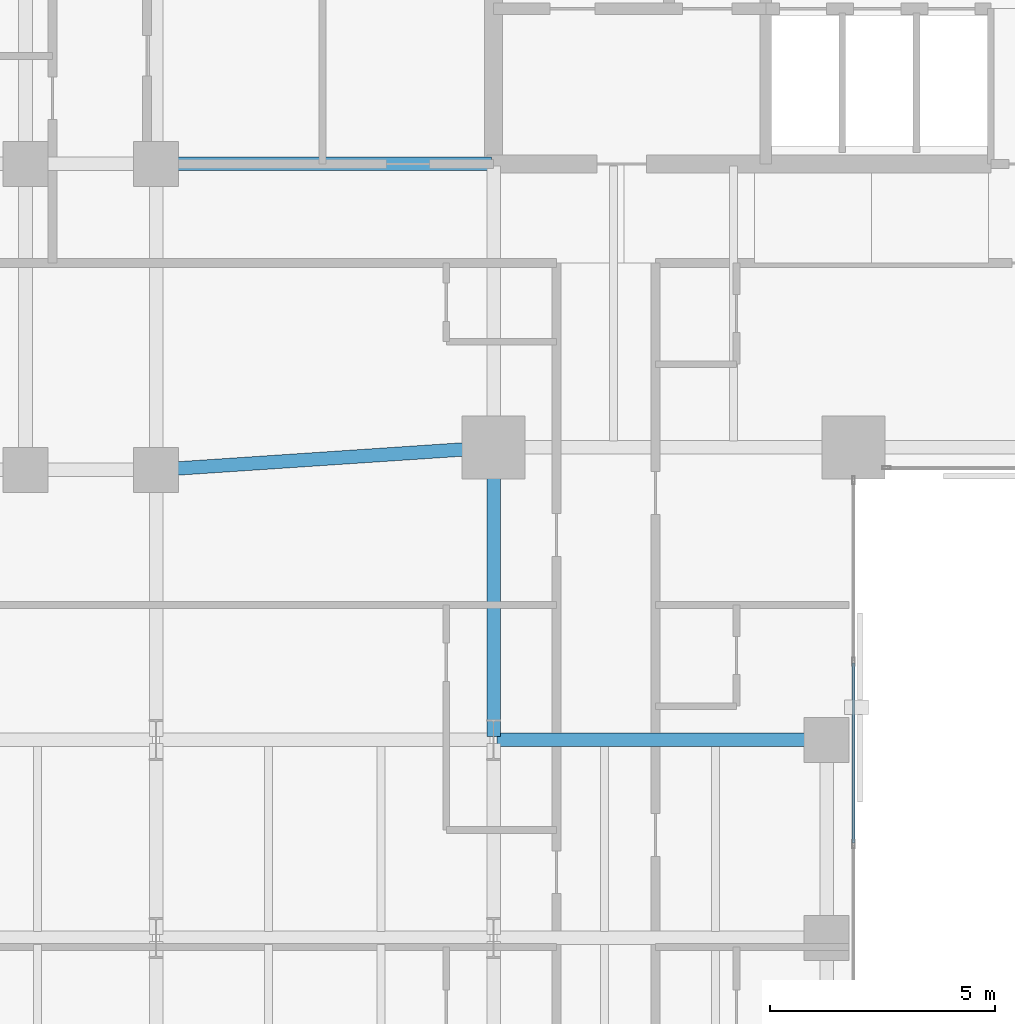
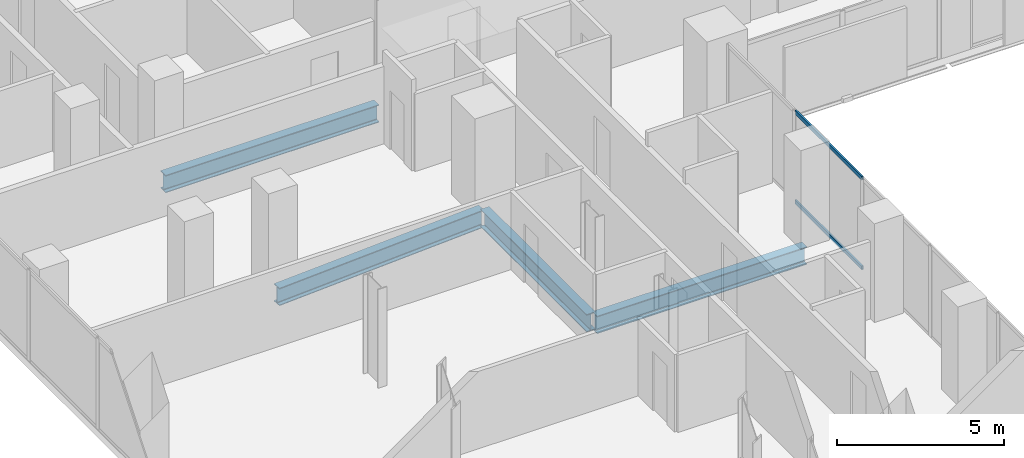
# One storey, part 11 of 31: 4 beams, 2 members, 1 element without a shape of its own.
"""IFC4 building model written with IfcOpenShell, lengths in metres."""

import ifcopenshell
import ifcopenshell.guid

model = None  # the IFC model being written
_history = None  # IfcOwnerHistory: only IFC2X3 demands one
_inside = {}  # id of a spatial element -> (the spatial element, [elements in it])
_under = {}  # id of a project, library or spatial element -> (it, [spatial elements below it])
_declared = {}  # id of a project -> (the project, [libraries it declares])
_typed = {}  # id of a type object -> (the type object, [elements of that type])
_made_of = {}  # id of a material, layer set ... -> (it, [elements and type objects made of it])


def new_model(schema):
    """Start an empty IFC model of exactly this schema.

    Asked for "IFC4X3", IfcOpenShell would pick the latest addendum, in which some entities
    have other attributes; the version numbers below select the first issue.
    IFC2X3 requires an IfcOwnerHistory on every rooted entity: one is made here for all.
    """
    global model, _history
    if schema == "IFC4X3":
        model = ifcopenshell.file(schema_version=(4, 3, 0, 0))
    else:
        model = ifcopenshell.file(schema=schema)
    _inside.clear()
    _under.clear()
    _declared.clear()
    _typed.clear()
    _made_of.clear()
    _history = None
    if model.schema == "IFC2X3":
        org = make("IfcOrganization", Name="unknown")
        user = make(
            "IfcPersonAndOrganization",
            ThePerson=make("IfcPerson", FamilyName="unknown"),
            TheOrganization=org,
        )
        app = make(
            "IfcApplication",
            ApplicationDeveloper=org,
            Version="unknown",
            ApplicationFullName="unknown",
            ApplicationIdentifier="unknown",
        )
        _history = make(
            "IfcOwnerHistory",
            OwningUser=user,
            OwningApplication=app,
            ChangeAction="ADDED",
            CreationDate=0,
        )
    return model


def make(cls, **values):
    """One entity of the class cls with the attributes given. An attribute that is None is left unset."""
    return model.create_entity(
        cls, **{name: value for name, value in values.items() if value is not None}
    )


def rooted(cls, **values):
    """An entity with a GlobalId (a new one), such as an element, a storey or a relation."""
    return make(cls, GlobalId=ifcopenshell.guid.new(), OwnerHistory=_history, **values)


def si_unit(unit_type, name, prefix=None):
    """IfcSIUnit, for example si_unit("LENGTHUNIT", "METRE", prefix="MILLI")."""
    return make("IfcSIUnit", UnitType=unit_type, Prefix=prefix, Name=name)


def assignment(units):
    """IfcUnitAssignment: the units of a project."""
    return None if units is None else make("IfcUnitAssignment", Units=units)


def point(xyz):
    """IfcCartesianPoint."""
    return None if xyz is None else make("IfcCartesianPoint", Coordinates=xyz)


def direction(xyz):
    """IfcDirection."""
    return None if xyz is None else make("IfcDirection", DirectionRatios=xyz)


def frame(location, z_axis=None, x_axis=None):
    """IfcAxis2Placement3D, a coordinate frame: its origin and axes. An axis left out is left unset."""
    return make(
        "IfcAxis2Placement3D",
        Location=point(location),
        Axis=direction(z_axis),
        RefDirection=direction(x_axis),
    )


def frame_2d(location, x_axis=None):
    """IfcAxis2Placement2D, a coordinate frame in the plane: its origin and x axis."""
    return make(
        "IfcAxis2Placement2D", Location=point(location), RefDirection=direction(x_axis)
    )


def origin():
    """The frame at (0, 0, 0) with its axes left unset."""
    return frame((0.0, 0.0, 0.0))


def origin_2d():
    """The frame at (0, 0) in the plane with its x axis left unset."""
    return frame_2d((0.0, 0.0))


def place(relative_to, where):
    """IfcLocalPlacement: puts the frame where relative to a parent placement (None: the world)."""
    return make(
        "IfcLocalPlacement", PlacementRelTo=relative_to, RelativePlacement=where
    )


def context(
    kind, dimensions, precision=None, world=None, true_north=None, identifier=None
):
    """IfcGeometricRepresentationContext, for example the 3D "Model" context."""
    return make(
        "IfcGeometricRepresentationContext",
        ContextIdentifier=identifier,
        ContextType=kind,
        CoordinateSpaceDimension=dimensions,
        Precision=precision,
        WorldCoordinateSystem=world,
        TrueNorth=true_north,
    )


def subcontext(parent, identifier, kind, view, scale=None):
    """IfcGeometricRepresentationSubContext, for example "Body" below "Model"."""
    return make(
        "IfcGeometricRepresentationSubContext",
        ContextIdentifier=identifier,
        ContextType=kind,
        ParentContext=parent,
        TargetScale=scale,
        TargetView=view,
    )


def project(units=None, contexts=None):
    """IfcProject with its units and contexts."""
    return rooted(
        "IfcProject",
        Name="project",
        RepresentationContexts=contexts,
        UnitsInContext=assignment(units),
    )


def spatial(cls, under=None, at=None, **own):
    """A site, building, storey or space (cls), placed at a placement, below another one or the project."""
    s = rooted(cls, ObjectPlacement=at, **own)
    if under is not None:
        _under.setdefault(under.id(), (under, []))[1].append(s)
    return s


def profile(cls, at=None, kind="AREA", **sizes):
    """A parametric profile (cls). Its sizes go by their IFC names, for example OverallWidth=200.0."""
    return make(cls, ProfileType=kind, Position=at, **sizes)


def hollow_rectangle(**sizes):
    """IfcRectangleHollowProfileDef."""
    return profile("IfcRectangleHollowProfileDef", **sizes)


def i_section(**sizes):
    """IfcIShapeProfileDef."""
    return profile("IfcIShapeProfileDef", **sizes)


def extrude(swept, where, along, depth):
    """IfcExtrudedAreaSolid: the profile swept, set in the frame where, extruded along a direction by depth."""
    return make(
        "IfcExtrudedAreaSolid",
        SweptArea=swept,
        Position=where,
        ExtrudedDirection=direction(along),
        Depth=depth,
    )


def shape(context_of_items, identifier, shape_type, items):
    """IfcShapeRepresentation: the items that make up one representation, for example the "Body"."""
    return make(
        "IfcShapeRepresentation",
        ContextOfItems=context_of_items,
        RepresentationIdentifier=identifier,
        RepresentationType=shape_type,
        Items=items,
    )


def material(Name=None, Category=None):
    """IfcMaterial."""
    return make("IfcMaterial", Name=Name, Category=Category)


def layer(
    of_material, thickness, ventilated=None, Name=None, Category=None, Priority=None
):
    """IfcMaterialLayer: one layer of a wall or slab, of a material (None: an air gap)."""
    return make(
        "IfcMaterialLayer",
        Material=of_material,
        LayerThickness=thickness,
        IsVentilated=ventilated,
        Name=Name,
        Category=Category,
        Priority=Priority,
    )


def layer_set(layers, Name=None):
    """IfcMaterialLayerSet."""
    return make("IfcMaterialLayerSet", MaterialLayers=layers, LayerSetName=Name)


def material_profile(
    of_material, cross_section, Name=None, Category=None, Priority=None
):
    """IfcMaterialProfile: a cross section and its material."""
    return make(
        "IfcMaterialProfile",
        Name=Name,
        Material=of_material,
        Profile=cross_section,
        Priority=Priority,
        Category=Category,
    )


def profile_set(profiles, Name=None, composite=None):
    """IfcMaterialProfileSet."""
    return make(
        "IfcMaterialProfileSet",
        Name=Name,
        MaterialProfiles=profiles,
        CompositeProfile=composite,
    )


def made_of(thing, what):
    """Note that an element or type object is made of a material, layer set ...; save() writes the relation."""
    if what is not None:
        _made_of.setdefault(what.id(), (what, []))[1].append(thing)
    return thing


def type_object(cls, material=None, **own):
    """A type object (cls), such as IfcWallType, which elements share."""
    return made_of(rooted(cls, **own), material)


def element(
    cls,
    number,
    at=None,
    inside=None,
    cuts=None,
    type_object=None,
    material=None,
    context=None,
    identifier="Body",
    shape_type=None,
    held_by="IfcProductDefinitionShape",
    body=None,
    shapes=None,
    **own,
):
    """One element of the class cls, such as IfcWall. Its Tag is "e" and its number.

    at: its placement. inside: the storey or other place that contains it. cuts: it is an
    opening in that element (IfcRelVoidsElement). A single representation is given by context,
    identifier, shape_type and body (its items); several are given by shapes. held_by: the class
    of the entity that holds the representations. save() writes the other relations.
    """
    e = rooted(cls, Tag="e%d" % number, ObjectPlacement=at, **own)
    if body is not None:
        shapes = [shape(context, identifier, shape_type, body)]
    if shapes is not None:
        e.Representation = make(held_by, Representations=shapes)
    if inside is not None:
        _inside.setdefault(inside.id(), (inside, []))[1].append(e)
    if cuts is not None:
        rooted(
            "IfcRelVoidsElement", RelatingBuildingElement=cuts, RelatedOpeningElement=e
        )
    if type_object is not None:
        _typed.setdefault(type_object.id(), (type_object, []))[1].append(e)
    return made_of(e, material)


def aggregate(whole, parts):
    """IfcRelAggregates: a whole, such as a stair, and the parts it consists of."""
    return rooted("IfcRelAggregates", RelatingObject=whole, RelatedObjects=parts)


def save(model, path):
    """Write the relations noted so far, then the file.

    IfcRelAggregates (storeys below a building ...), IfcRelContainedInSpatialStructure (elements
    in a storey), IfcRelDefinesByType, IfcRelAssociatesMaterial and IfcRelDeclares: one each for
    every whole, place, type object, material and project.
    """
    for whole, parts in _under.values():
        aggregate(whole, parts)
    for where, things in _inside.values():
        rooted(
            "IfcRelContainedInSpatialStructure",
            RelatedElements=things,
            RelatingStructure=where,
        )
    for kind, things in _typed.values():
        rooted("IfcRelDefinesByType", RelatedObjects=things, RelatingType=kind)
    for what, things in _made_of.values():
        rooted("IfcRelAssociatesMaterial", RelatedObjects=things, RelatingMaterial=what)
    for by, libraries in _declared.values():
        rooted("IfcRelDeclares", RelatingContext=by, RelatedDefinitions=libraries)
    model.write(path)


model = new_model("IFC4")

# Units and contexts
model_context = context("Model", 3, precision=1e-05, world=origin(), true_north=direction((0.0, 1.0)))
body_context = subcontext(model_context, "Body", "Model", "MODEL_VIEW")
ifc_project = project(units=[si_unit("LENGTHUNIT", "METRE"), si_unit("AREAUNIT", "SQUARE_METRE"), si_unit("VOLUMEUNIT", "CUBIC_METRE"), si_unit("PLANEANGLEUNIT", "RADIAN"), si_unit("MASSUNIT", "GRAM", prefix="KILO")], contexts=[model_context])

# Site, building, storey
site_placement = place(None, origin())
site = spatial("IfcSite", under=ifc_project, at=site_placement, CompositionType="ELEMENT")
building_placement = place(site_placement, origin())
building = spatial("IfcBuilding", under=site, at=building_placement, Name="Catumbela Crestline Tower", CompositionType="ELEMENT")
storey_placement = place(building_placement, frame((0.0, 0.0, 36.6)))
storey = spatial("IfcBuildingStorey", under=building, at=storey_placement, Name="L08", CompositionType="ELEMENT", Elevation=36.6)

# Beams
ifc_material_1 = material(Name="Structural steel S355J2", Category="steel")
ifc_material_profile_1 = material_profile(ifc_material_1, i_section(OverallWidth=0.3, OverallDepth=0.64, WebThickness=0.0135, FlangeThickness=0.026, FilletRadius=0.027, at=origin_2d()), Name="HEA 650")
ifc_profile_set_1 = profile_set([ifc_material_profile_1], Name="Structural steel S355J2")
beam_type = type_object("IfcBeamType", Name="BG-HEA650", PredefinedType="BEAM", material=ifc_profile_set_1)
beam_1_placement = place(storey_placement, frame((8.5798, 24.0053, -0.58), z_axis=(0.997784796964, 0.066524423687, 0.0), x_axis=(-0.066524423687, 0.997784796964, 0.0)))
element("IfcBeam", 1, at=beam_1_placement, inside=storey, type_object=beam_type, Name="L08 Beam BM-L08-S03", PredefinedType="BEAM", context=body_context, shape_type="SweptSolid", body=[
    extrude(i_section(OverallWidth=0.3, OverallDepth=0.64, WebThickness=0.0135, FlangeThickness=0.026, FilletRadius=0.027, at=origin_2d()), origin(), (0.0, 0.0, 1.0), 7.3567),
])
beam_2_placement = place(storey_placement, frame((8.58, 30.8, -0.58), z_axis=(1.0, 0.0, 0.0), x_axis=(0.0, 1.0, 0.0)))
element("IfcBeam", 2, at=beam_2_placement, inside=storey, type_object=beam_type, Name="L08 Beam BM-L08-M09", PredefinedType="BEAM", context=body_context, shape_type="SweptSolid", body=[
    extrude(i_section(OverallWidth=0.3, OverallDepth=0.64, WebThickness=0.0135, FlangeThickness=0.026, FilletRadius=0.027, at=origin_2d()), origin(), (0.0, 0.0, 1.0), 7.37),
])
beam_3_placement = place(storey_placement, frame((16.08, 18.0, -0.58), z_axis=(1.0, 0.0, 0.0), x_axis=(0.0, 1.0, 0.0)))
element("IfcBeam", 3, at=beam_3_placement, inside=storey, type_object=beam_type, Name="L08 Beam BM-L08-WEW56", PredefinedType="BEAM", context=body_context, shape_type="SweptSolid", body=[
    extrude(i_section(OverallWidth=0.3, OverallDepth=0.64, WebThickness=0.0135, FlangeThickness=0.026, FilletRadius=0.027, at=origin_2d()), origin(), (0.0, 0.0, 1.0), 7.24),
])
beam_4_placement = place(storey_placement, frame((16.0, 18.08, -0.58), z_axis=(0.0, 1.0, 0.0), x_axis=(-1.0, 0.0, 0.0)))
element("IfcBeam", 4, at=beam_4_placement, inside=storey, type_object=beam_type, Name="L08 Beam BM-L08-WNS67", PredefinedType="BEAM", context=body_context, shape_type="SweptSolid", body=[
    extrude(i_section(OverallWidth=0.3, OverallDepth=0.64, WebThickness=0.0135, FlangeThickness=0.026, FilletRadius=0.027, at=origin_2d()), origin(), (0.0, 0.0, 1.0), 6.34),
])

# Curtain wall, members
ifc_material_2 = material(Name="Aluminium alloy AW-6060-T66", Category="aluminium")
ifc_layer = layer(ifc_material_2, 0.18, Name="Aluminium alloy AW-6060-T66")
ifc_layer_set = layer_set([ifc_layer], Name="Aluminium alloy AW-6060-T66")
curtain_wall_type = type_object("IfcCurtainWallType", Name="CWU-Z1", PredefinedType="USERDEFINED", material=ifc_layer_set)
curtain_wall_placement = place(storey_placement, origin())
curtain_wall = element("IfcCurtainWall", 5, at=curtain_wall_placement, inside=storey, type_object=curtain_wall_type, Name="L08 Unitised Curtain Wall CW-L08-E2S1", ObjectType="UNITISED", PredefinedType="USERDEFINED")
ifc_material_profile_2 = material_profile(ifc_material_2, hollow_rectangle(XDim=0.06, YDim=0.14, WallThickness=0.004, at=origin_2d()), Name="ALU 140x60x4")
ifc_profile_set_2 = profile_set([ifc_material_profile_2], Name="Aluminium alloy AW-6060-T66")
member_type = type_object("IfcMemberType", Name="TRN-140X60", PredefinedType="USERDEFINED", material=ifc_profile_set_2)
member_1_placement = place(storey_placement, frame((24.0, 15.7125, 0.03), z_axis=(0.0, 1.0, 0.0), x_axis=(-1.0, 0.0, 0.0)))
member_1 = element("IfcMember", 6, at=member_1_placement, type_object=member_type, Name="CWU-Z1 transom 4.1", ObjectType="TRANSOM", PredefinedType="USERDEFINED", context=body_context, shape_type="SweptSolid", body=[
    extrude(hollow_rectangle(XDim=0.06, YDim=0.14, WallThickness=0.004, at=origin_2d()), origin(), (0.0, 0.0, 1.0), 3.995),
])
member_2_placement = place(storey_placement, frame((24.0, 15.7125, 3.3), z_axis=(0.0, 1.0, 0.0), x_axis=(-1.0, 0.0, 0.0)))
member_2 = element("IfcMember", 7, at=member_2_placement, type_object=member_type, Name="CWU-Z1 transom 4.2", ObjectType="TRANSOM", PredefinedType="USERDEFINED", context=body_context, shape_type="SweptSolid", body=[
    extrude(hollow_rectangle(XDim=0.06, YDim=0.14, WallThickness=0.004, at=origin_2d()), origin(), (0.0, 0.0, 1.0), 3.995),
])
aggregate(curtain_wall, [member_1, member_2])

save(model, "model.ifc")
